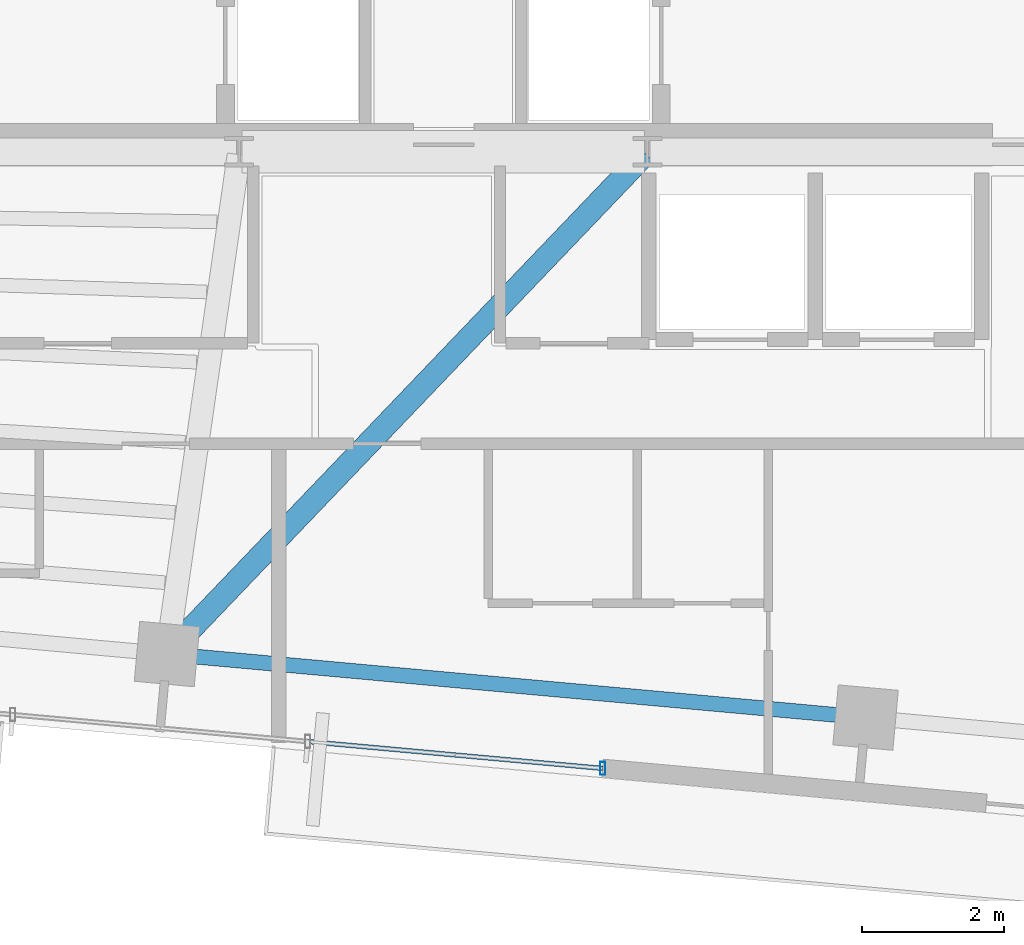
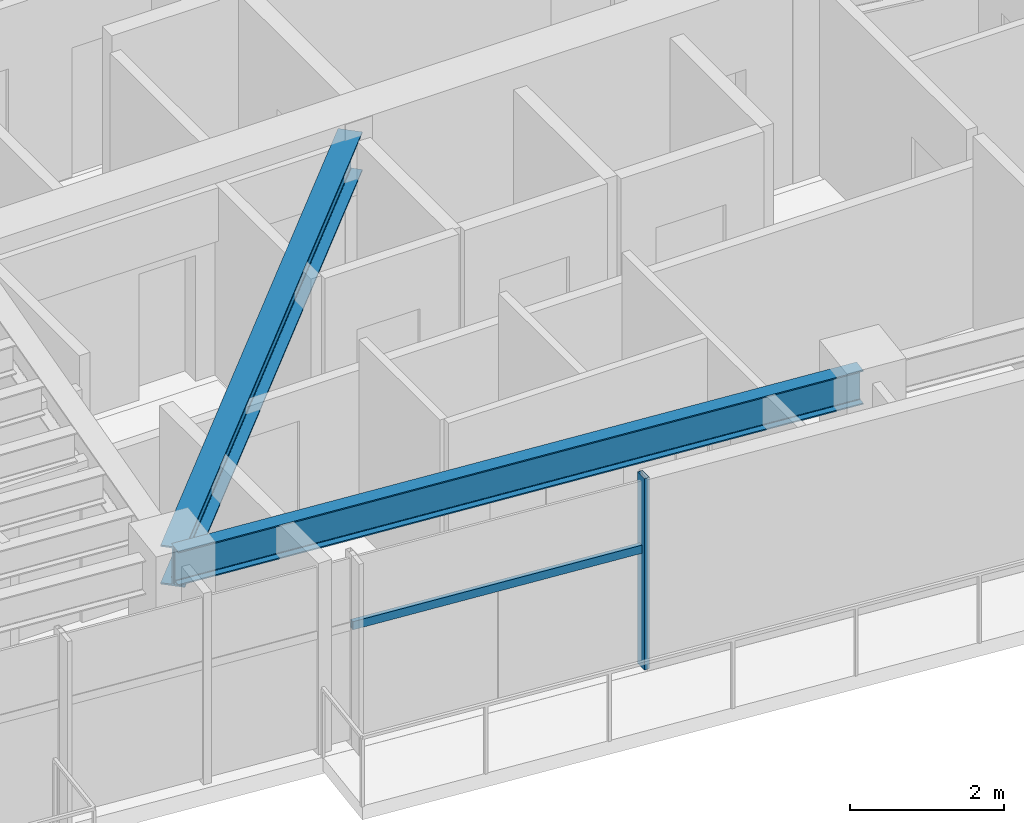
# One storey, part 7 of 22: 2 beams, 2 members, 1 element without a shape of its own.
"""IFC4 building model written with IfcOpenShell, lengths in metres."""

from ifc_helpers import new_model, si_unit, direction, frame, origin, origin_2d, place, context, subcontext, project, spatial, hollow_rectangle, i_section, extrude, source, transform, mapped, material, material_profile, profile_set, type_object, type_shapes, element, aggregate, save


model = new_model("IFC4")

# Units and contexts
model_context = context("Model", 3, precision=1e-05, world=origin(), true_north=direction((0.0, 1.0)))
body_context = subcontext(model_context, "Body", "Model", "MODEL_VIEW")
ifc_project = project(units=[si_unit("LENGTHUNIT", "METRE"), si_unit("AREAUNIT", "SQUARE_METRE"), si_unit("VOLUMEUNIT", "CUBIC_METRE"), si_unit("PLANEANGLEUNIT", "RADIAN"), si_unit("MASSUNIT", "GRAM", prefix="KILO")], contexts=[model_context])

# Site, building, storey
site_placement = place(None, origin())
site = spatial("IfcSite", under=ifc_project, at=site_placement, CompositionType="ELEMENT")
building_placement = place(site_placement, origin())
building = spatial("IfcBuilding", under=site, at=building_placement, Name="Astriad Promenade Condominiums", CompositionType="ELEMENT")
storey_placement = place(building_placement, frame((0.0, 0.0, 219.89990234375)))
storey = spatial("IfcBuildingStorey", under=building, at=storey_placement, Name="L63", CompositionType="ELEMENT", Elevation=219.89990234375)

# Beams
ifc_material_1 = material(Name="Steel ASTM A992 Grade 50", Category="steel")
ifc_material_profile_1 = material_profile(ifc_material_1, i_section(OverallWidth=0.210693359375, OverallDepth=0.53955078125, WebThickness=0.01171875, FlangeThickness=0.018798828125, FilletRadius=0.0166015625, at=origin_2d()), Name="W21X73")
ifc_profile_set_1 = profile_set([ifc_material_profile_1], Name="Steel ASTM A992 Grade 50")
beam_type_1 = type_object("IfcBeamType", Name="STEEL SPANDREL BEAM W21X73", PredefinedType="SPANDREL", material=ifc_profile_set_1)
shared_shape_1 = source(origin(), body_context, "Body", "SweptSolid", [
    extrude(i_section(OverallWidth=0.210693359375, OverallDepth=0.53955078125, WebThickness=0.01171875, FlangeThickness=0.018798828125, FilletRadius=0.0166015625, at=origin_2d()), origin(), (0.0, 0.0, 1.0), 9.820068359375),
])
type_shapes(beam_type_1, [shared_shape_1])
beam_1_placement = place(storey_placement, frame((32.14013671875, 10.30810546875, 2.7705078125), z_axis=(0.995885663174, -0.090618683965, 0.0), x_axis=(0.090618683965, 0.995885663174, 0.0)))
element("IfcBeam", 1, at=beam_1_placement, inside=storey, type_object=beam_type_1, Name="Perimeter Spandrel Beam SP-S3-L63", PredefinedType="SPANDREL", context=body_context, shape_type="MappedRepresentation", body=[
    mapped(shared_shape_1, transform((0.0, 0.0, 0.0), scale=1.0)),
])
ifc_material_profile_2 = material_profile(ifc_material_1, i_section(OverallWidth=0.326416015625, OverallDepth=0.621826171875, WebThickness=0.015380859375, FlangeThickness=0.0244140625, FilletRadius=0.017822265625, at=origin_2d()), Name="W24X131")
ifc_profile_set_2 = profile_set([ifc_material_profile_2], Name="Steel ASTM A992 Grade 50")
beam_type_2 = type_object("IfcBeamType", Name="STEEL FLOOR GIRDER W24X131", PredefinedType="BEAM", material=ifc_profile_set_2)
shared_shape_2 = source(origin(), body_context, "Body", "SweptSolid", [
    extrude(i_section(OverallWidth=0.326416015625, OverallDepth=0.621826171875, WebThickness=0.015380859375, FlangeThickness=0.0244140625, FilletRadius=0.017822265625, at=origin_2d()), origin(), (0.0, 0.0, 1.0), 9.728515625),
])
type_shapes(beam_type_2, [shared_shape_2])
beam_2_placement = place(storey_placement, frame((32.1279296875, 10.3408203125, 2.729248046875), z_axis=(0.691209540622, 0.722654392468, 0.0), x_axis=(-0.722654392468, 0.691209540622, 0.0)))
element("IfcBeam", 2, at=beam_2_placement, inside=storey, type_object=beam_type_2, Name="Primary Floor Girder PG-C2-L63", PredefinedType="BEAM", context=body_context, shape_type="MappedRepresentation", body=[
    mapped(shared_shape_2, transform((0.0, 0.0, 0.0), scale=1.0)),
])

# Curtain wall, members
ifc_material_2 = material(Name="Anodised aluminium Black Dark Glass Unitised", Category="aluminium")
curtain_wall_type = type_object("IfcCurtainWallType", Name="CW-B5-DARK", PredefinedType="USERDEFINED", material=ifc_material_2)
curtain_wall_placement = place(storey_placement, origin())
curtain_wall = element("IfcCurtainWall", 3, at=curtain_wall_placement, inside=storey, type_object=curtain_wall_type, Name="CW-L63-S", ObjectType="UNITISED_CURTAIN_WALL", PredefinedType="USERDEFINED")
ifc_material_3 = material(Name="Anodised aluminium 6063-T6 Black", Category="aluminium")
ifc_material_profile_3 = material_profile(ifc_material_3, hollow_rectangle(XDim=0.06494140625, YDim=0.1298828125, WallThickness=0.00390625, at=origin_2d()), Name="ALU-TRN-65X130")
ifc_profile_set_3 = profile_set([ifc_material_profile_3], Name="Anodised aluminium 6063-T6 Black")
member_type_1 = type_object("IfcMemberType", Name="TRN-ALU-TRN-65X130", PredefinedType="USERDEFINED", material=ifc_profile_set_3)
shared_shape_3 = source(origin(), body_context, "Body", "SweptSolid", [
    extrude(hollow_rectangle(XDim=0.06494140625, YDim=0.1298828125, WallThickness=0.00390625, at=origin_2d()), origin(), (0.0, 0.0, 1.0), 4.179931640625),
])
type_shapes(member_type_1, [shared_shape_3])
member_1_placement = place(storey_placement, frame((38.24951171875, 8.69775390625, 1.885009765625), z_axis=(-0.995883146811, 0.090646334165, 0.0), x_axis=(-0.090646334165, -0.995883146811, 0.0)))
member_1 = element("IfcMember", 4, at=member_1_placement, type_object=member_type_1, Name="CW-L63-S-TRN-00-0", ObjectType="TRANSOM", PredefinedType="USERDEFINED", context=body_context, shape_type="MappedRepresentation", body=[
    mapped(shared_shape_3, transform((0.0, 0.0, 0.0), scale=1.0)),
])
ifc_material_profile_4 = material_profile(ifc_material_3, hollow_rectangle(XDim=0.074951171875, YDim=0.18505859375, WallThickness=0.00439453125, at=origin_2d()), Name="ALU-MUL-75X185")
ifc_profile_set_4 = profile_set([ifc_material_profile_4], Name="Anodised aluminium 6063-T6 Black")
member_type_2 = type_object("IfcMemberType", Name="MUL-ALU-MUL-75X185", PredefinedType="MULLION", material=ifc_profile_set_4)
shared_shape_4 = source(origin(), body_context, "Body", "SweptSolid", [
    extrude(hollow_rectangle(XDim=0.074951171875, YDim=0.18505859375, WallThickness=0.00439453125, at=origin_2d()), origin(), (0.0, 0.0, 1.0), 3.0400390625),
])
type_shapes(member_type_2, [shared_shape_4])
member_2_placement = place(storey_placement, frame((38.24951171875, 8.69775390625, 0.0), z_axis=(0.0, 0.0, 1.0), x_axis=(1.0, 0.0, 0.0)))
member_2 = element("IfcMember", 5, at=member_2_placement, type_object=member_type_2, Name="CW-L63-S-MUL-00", PredefinedType="MULLION", context=body_context, shape_type="MappedRepresentation", body=[
    mapped(shared_shape_4, transform((0.0, 0.0, 0.0), scale=1.0)),
])
aggregate(curtain_wall, [member_2, member_1])

save(model, "model.ifc")
